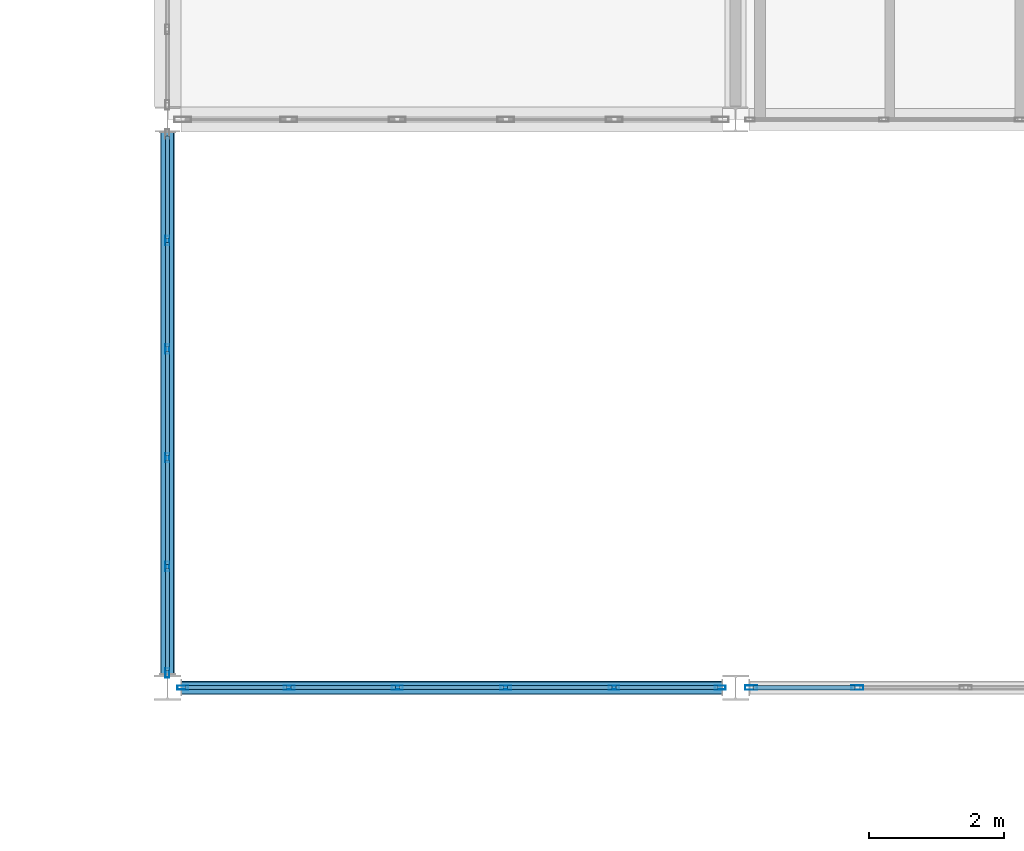
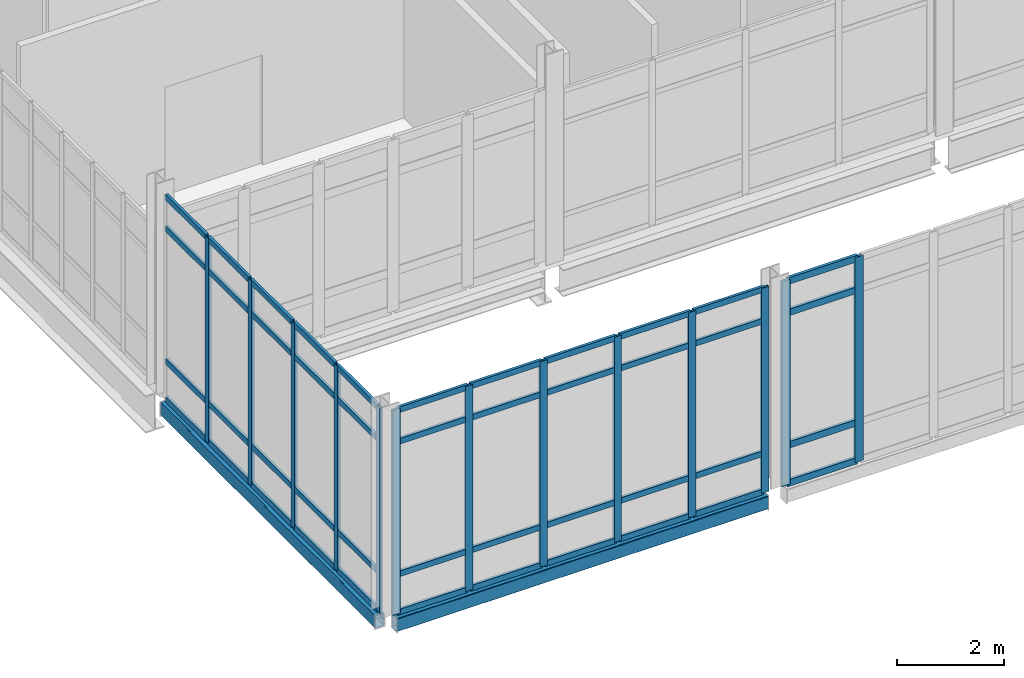
# One storey, part 18 of 186: 57 members, 2 beams, 3 elements without a shape of their own.
"""IFC4 building model written with IfcOpenShell, lengths in metres."""

from ifc_helpers import new_model, si_unit, direction, frame, origin, origin_2d, place, context, subcontext, project, spatial, hollow_rectangle, extrude, material, layer, layer_set, material_profile, profile_set, type_object, element, aggregate, save


model = new_model("IFC4")

# Units and contexts
model_context = context("Model", 3, precision=1e-05, world=origin(), true_north=direction((0.0, 1.0)))
body_context = subcontext(model_context, "Body", "Model", "MODEL_VIEW")
ifc_project = project(units=[si_unit("LENGTHUNIT", "METRE"), si_unit("AREAUNIT", "SQUARE_METRE"), si_unit("VOLUMEUNIT", "CUBIC_METRE"), si_unit("PLANEANGLEUNIT", "RADIAN"), si_unit("MASSUNIT", "GRAM", prefix="KILO")], contexts=[model_context])

# Site, building, storey
site_placement = place(None, origin())
site = spatial("IfcSite", under=ifc_project, at=site_placement, CompositionType="ELEMENT")
building_placement = place(site_placement, origin())
building = spatial("IfcBuilding", under=site, at=building_placement, Name="Calvrana Isthmian Art Gallery", CompositionType="ELEMENT")
storey_placement = place(building_placement, frame((0.0, 0.0, 5.39990234375)))
storey = spatial("IfcBuildingStorey", under=building, at=storey_placement, Name="L01", CompositionType="ELEMENT", Elevation=5.39990234375)

# Beams
ifc_material_1 = material(Name="Steel ASTM A500 Gr C", Category="steel")
ifc_material_profile_1 = material_profile(ifc_material_1, hollow_rectangle(XDim=0.203125, YDim=0.3046875, WallThickness=0.0126953125, OuterFilletRadius=0.02490234375, at=origin_2d()), Name="HSS305X203X12.7")
ifc_profile_set_1 = profile_set([ifc_material_profile_1], Name="Steel ASTM A500 Gr C")
beam_type = type_object("IfcBeamType", Name="BM-SP-HSS305", PredefinedType="SPANDREL", material=ifc_profile_set_1)
beam_1_placement = place(storey_placement, frame((21.802001953125, 21.60009765625, -0.349853515625), z_axis=(1.0, 0.0, 0.0), x_axis=(0.0, 1.0, 0.0)))
element("IfcBeam", 1, at=beam_1_placement, inside=storey, type_object=beam_type, Name="Foyer double-height spandrel L01 04-05/D", PredefinedType="SPANDREL", context=body_context, shape_type="SweptSolid", body=[
    extrude(hollow_rectangle(XDim=0.203125, YDim=0.3046875, WallThickness=0.0126953125, OuterFilletRadius=0.02490234375, at=origin_2d()), origin(), (0.0, 0.0, 1.0), 7.99853515625),
])
beam_2_placement = place(storey_placement, frame((21.60009765625, 21.802978515625, -0.349853515625), z_axis=(0.0, 1.0, 0.0), x_axis=(-1.0, 0.0, 0.0)))
element("IfcBeam", 2, at=beam_2_placement, inside=storey, type_object=beam_type, Name="Foyer double-height spandrel L01 04/D-E", PredefinedType="SPANDREL", context=body_context, shape_type="SweptSolid", body=[
    extrude(hollow_rectangle(XDim=0.203125, YDim=0.3046875, WallThickness=0.0126953125, OuterFilletRadius=0.02490234375, at=origin_2d()), origin(), (0.0, 0.0, 1.0), 8.006591796875),
])

# Curtain wall, members
ifc_material_2 = material(Name="Anodized bronze aluminium 6063-T6", Category="aluminium")
ifc_layer = layer(ifc_material_2, 0.179931640625, Name="Anodized bronze aluminium 6063-T6")
ifc_layer_set = layer_set([ifc_layer], Name="Anodized bronze aluminium 6063-T6")
curtain_wall_type = type_object("IfcCurtainWallType", Name="CW-STICK-080X47", PredefinedType="NOTDEFINED", material=ifc_layer_set)
curtain_wall_1_placement = place(storey_placement, origin())
curtain_wall_1 = element("IfcCurtainWall", 3, at=curtain_wall_1_placement, inside=storey, type_object=curtain_wall_type, Name="Curtain wall CW-006", PredefinedType="NOTDEFINED")
ifc_material_profile_2 = material_profile(ifc_material_2, hollow_rectangle(XDim=0.06005859375, YDim=0.139892578125, WallThickness=0.00390625, at=origin_2d()), Name="CWM60X140")
ifc_profile_set_2 = profile_set([ifc_material_profile_2], Name="Anodized bronze aluminium 6063-T6")
member_type_1 = type_object("IfcMemberType", Name="CWM-CWM60X140", PredefinedType="MULLION", material=ifc_profile_set_2)
member_1_placement = place(storey_placement, frame((21.60009765625, 21.820556640625, -0.14990234375), z_axis=(0.0, 0.0, 1.0), x_axis=(-1.0, 0.0, 0.0)))
member_1 = element("IfcMember", 4, at=member_1_placement, type_object=member_type_1, Name="CW-006 mullion 1", PredefinedType="MULLION", context=body_context, shape_type="SweptSolid", body=[
    extrude(hollow_rectangle(XDim=0.06005859375, YDim=0.139892578125, WallThickness=0.00390625, at=origin_2d()), origin(), (0.0, 0.0, 1.0), 4.669921875),
])
member_2_placement = place(storey_placement, frame((21.60009765625, 23.39501953125, -0.14990234375), z_axis=(0.0, 0.0, 1.0), x_axis=(-1.0, 0.0, 0.0)))
member_2 = element("IfcMember", 5, at=member_2_placement, type_object=member_type_1, Name="CW-006 mullion 2", PredefinedType="MULLION", context=body_context, shape_type="SweptSolid", body=[
    extrude(hollow_rectangle(XDim=0.06005859375, YDim=0.139892578125, WallThickness=0.00390625, at=origin_2d()), origin(), (0.0, 0.0, 1.0), 4.669921875),
])
member_3_placement = place(storey_placement, frame((21.60009765625, 24.999755859375, -0.14990234375), z_axis=(0.0, 0.0, 1.0), x_axis=(-1.0, 0.0, 0.0)))
member_3 = element("IfcMember", 6, at=member_3_placement, type_object=member_type_1, Name="CW-006 mullion 3", PredefinedType="MULLION", context=body_context, shape_type="SweptSolid", body=[
    extrude(hollow_rectangle(XDim=0.06005859375, YDim=0.139892578125, WallThickness=0.00390625, at=origin_2d()), origin(), (0.0, 0.0, 1.0), 4.669921875),
])
member_4_placement = place(storey_placement, frame((21.60009765625, 26.604248046875, -0.14990234375), z_axis=(0.0, 0.0, 1.0), x_axis=(-1.0, 0.0, 0.0)))
member_4 = element("IfcMember", 7, at=member_4_placement, type_object=member_type_1, Name="CW-006 mullion 4", PredefinedType="MULLION", context=body_context, shape_type="SweptSolid", body=[
    extrude(hollow_rectangle(XDim=0.06005859375, YDim=0.139892578125, WallThickness=0.00390625, at=origin_2d()), origin(), (0.0, 0.0, 1.0), 4.669921875),
])
member_5_placement = place(storey_placement, frame((21.60009765625, 28.208984375, -0.14990234375), z_axis=(0.0, 0.0, 1.0), x_axis=(-1.0, 0.0, 0.0)))
member_5 = element("IfcMember", 8, at=member_5_placement, type_object=member_type_1, Name="CW-006 mullion 5", PredefinedType="MULLION", context=body_context, shape_type="SweptSolid", body=[
    extrude(hollow_rectangle(XDim=0.06005859375, YDim=0.139892578125, WallThickness=0.00390625, at=origin_2d()), origin(), (0.0, 0.0, 1.0), 4.669921875),
])

curtain_wall_2_placement = place(storey_placement, origin())
curtain_wall_2 = element("IfcCurtainWall", 9, at=curtain_wall_2_placement, inside=storey, type_object=curtain_wall_type, Name="Curtain wall CW-001", PredefinedType="NOTDEFINED")
ifc_material_profile_3 = material_profile(ifc_material_2, hollow_rectangle(XDim=0.06005859375, YDim=0.159912109375, WallThickness=0.00390625, at=origin_2d()), Name="CWM60X160")
ifc_profile_set_3 = profile_set([ifc_material_profile_3], Name="Anodized bronze aluminium 6063-T6")
member_type_2 = type_object("IfcMemberType", Name="CWM-CWM60X160", PredefinedType="MULLION", material=ifc_profile_set_3)
member_6_placement = place(storey_placement, frame((29.77294921875, 21.60009765625, -0.14990234375), z_axis=(0.0, 0.0, 1.0), x_axis=(0.0, -1.0, 0.0)))
member_6 = element("IfcMember", 10, at=member_6_placement, type_object=member_type_2, Name="CW-001 mullion 1", PredefinedType="MULLION", context=body_context, shape_type="SweptSolid", body=[
    extrude(hollow_rectangle(XDim=0.06005859375, YDim=0.159912109375, WallThickness=0.00390625, at=origin_2d()), origin(), (0.0, 0.0, 1.0), 4.669921875),
])
member_7_placement = place(storey_placement, frame((28.201904296875, 21.60009765625, -0.14990234375), z_axis=(0.0, 0.0, 1.0), x_axis=(0.0, -1.0, 0.0)))
member_7 = element("IfcMember", 11, at=member_7_placement, type_object=member_type_2, Name="CW-001 mullion 2", PredefinedType="MULLION", context=body_context, shape_type="SweptSolid", body=[
    extrude(hollow_rectangle(XDim=0.06005859375, YDim=0.159912109375, WallThickness=0.00390625, at=origin_2d()), origin(), (0.0, 0.0, 1.0), 4.669921875),
])
member_8_placement = place(storey_placement, frame((26.60107421875, 21.60009765625, -0.14990234375), z_axis=(0.0, 0.0, 1.0), x_axis=(0.0, -1.0, 0.0)))
member_8 = element("IfcMember", 12, at=member_8_placement, type_object=member_type_2, Name="CW-001 mullion 3", PredefinedType="MULLION", context=body_context, shape_type="SweptSolid", body=[
    extrude(hollow_rectangle(XDim=0.06005859375, YDim=0.159912109375, WallThickness=0.00390625, at=origin_2d()), origin(), (0.0, 0.0, 1.0), 4.669921875),
])
member_9_placement = place(storey_placement, frame((25.0, 21.60009765625, -0.14990234375), z_axis=(0.0, 0.0, 1.0), x_axis=(0.0, -1.0, 0.0)))
member_9 = element("IfcMember", 13, at=member_9_placement, type_object=member_type_2, Name="CW-001 mullion 4", PredefinedType="MULLION", context=body_context, shape_type="SweptSolid", body=[
    extrude(hollow_rectangle(XDim=0.06005859375, YDim=0.159912109375, WallThickness=0.00390625, at=origin_2d()), origin(), (0.0, 0.0, 1.0), 4.669921875),
])
member_10_placement = place(storey_placement, frame((23.39892578125, 21.60009765625, -0.14990234375), z_axis=(0.0, 0.0, 1.0), x_axis=(0.0, -1.0, 0.0)))
member_10 = element("IfcMember", 14, at=member_10_placement, type_object=member_type_2, Name="CW-001 mullion 5", PredefinedType="MULLION", context=body_context, shape_type="SweptSolid", body=[
    extrude(hollow_rectangle(XDim=0.06005859375, YDim=0.159912109375, WallThickness=0.00390625, at=origin_2d()), origin(), (0.0, 0.0, 1.0), 4.669921875),
])
member_11_placement = place(storey_placement, frame((21.827880859375, 21.60009765625, -0.14990234375), z_axis=(0.0, 0.0, 1.0), x_axis=(0.0, -1.0, 0.0)))
member_11 = element("IfcMember", 15, at=member_11_placement, type_object=member_type_2, Name="CW-001 mullion 6", PredefinedType="MULLION", context=body_context, shape_type="SweptSolid", body=[
    extrude(hollow_rectangle(XDim=0.06005859375, YDim=0.159912109375, WallThickness=0.00390625, at=origin_2d()), origin(), (0.0, 0.0, 1.0), 4.669921875),
])

curtain_wall_3_placement = place(storey_placement, origin())
curtain_wall_3 = element("IfcCurtainWall", 16, at=curtain_wall_3_placement, inside=storey, type_object=curtain_wall_type, Name="Curtain wall CW-002", PredefinedType="NOTDEFINED")
ifc_material_profile_4 = material_profile(ifc_material_2, hollow_rectangle(XDim=0.06494140625, YDim=0.179931640625, WallThickness=0.00439453125, at=origin_2d()), Name="CWM65X180")
ifc_profile_set_4 = profile_set([ifc_material_profile_4], Name="Anodized bronze aluminium 6063-T6")
member_type_3 = type_object("IfcMemberType", Name="CWM-CWM65X180", PredefinedType="MULLION", material=ifc_profile_set_4)
member_12_placement = place(storey_placement, frame((31.80029296875, 21.60009765625, -0.14990234375), z_axis=(0.0, 0.0, 1.0), x_axis=(0.0, -1.0, 0.0)))
member_12 = element("IfcMember", 17, at=member_12_placement, type_object=member_type_3, Name="CW-002 mullion 5", PredefinedType="MULLION", context=body_context, shape_type="SweptSolid", body=[
    extrude(hollow_rectangle(XDim=0.06494140625, YDim=0.179931640625, WallThickness=0.00439453125, at=origin_2d()), origin(), (0.0, 0.0, 1.0), 4.669921875),
])
member_13_placement = place(storey_placement, frame((30.2294921875, 21.60009765625, -0.14990234375), z_axis=(0.0, 0.0, 1.0), x_axis=(0.0, -1.0, 0.0)))
member_13 = element("IfcMember", 18, at=member_13_placement, type_object=member_type_3, Name="CW-002 mullion 6", PredefinedType="MULLION", context=body_context, shape_type="SweptSolid", body=[
    extrude(hollow_rectangle(XDim=0.06494140625, YDim=0.179931640625, WallThickness=0.00439453125, at=origin_2d()), origin(), (0.0, 0.0, 1.0), 4.669921875),
])

# Member
ifc_material_profile_5 = material_profile(ifc_material_2, hollow_rectangle(XDim=0.06005859375, YDim=0.1298828125, WallThickness=0.00390625, at=origin_2d()), Name="CWT60X130")
ifc_profile_set_5 = profile_set([ifc_material_profile_5], Name="Anodized bronze aluminium 6063-T6")
member_type_4 = type_object("IfcMemberType", Name="CWT-CWT60X130", PredefinedType="USERDEFINED", material=ifc_profile_set_5)
member_14_placement = place(storey_placement, frame((29.742919921875, 21.60009765625, -0.119873046875), z_axis=(-1.0, 0.0, 0.0), x_axis=(0.0, -1.0, 0.0)))
member_14 = element("IfcMember", 19, at=member_14_placement, type_object=member_type_4, Name="CW-001 transom 1.1", ObjectType="TRANSOM", PredefinedType="USERDEFINED", context=body_context, shape_type="SweptSolid", body=[
    extrude(hollow_rectangle(XDim=0.06005859375, YDim=0.1298828125, WallThickness=0.00390625, at=origin_2d()), origin(), (0.0, 0.0, 1.0), 1.510986328125),
])

member_15_placement = place(storey_placement, frame((29.742919921875, 21.60009765625, 0.75), z_axis=(-1.0, 0.0, 0.0), x_axis=(0.0, -1.0, 0.0)))
member_15 = element("IfcMember", 20, at=member_15_placement, type_object=member_type_4, Name="CW-001 transom 1.2", ObjectType="TRANSOM", PredefinedType="USERDEFINED", context=body_context, shape_type="SweptSolid", body=[
    extrude(hollow_rectangle(XDim=0.06005859375, YDim=0.1298828125, WallThickness=0.00390625, at=origin_2d()), origin(), (0.0, 0.0, 1.0), 1.510986328125),
])

member_16_placement = place(storey_placement, frame((29.742919921875, 21.60009765625, 3.77001953125), z_axis=(-1.0, 0.0, 0.0), x_axis=(0.0, -1.0, 0.0)))
member_16 = element("IfcMember", 21, at=member_16_placement, type_object=member_type_4, Name="CW-001 transom 1.3", ObjectType="TRANSOM", PredefinedType="USERDEFINED", context=body_context, shape_type="SweptSolid", body=[
    extrude(hollow_rectangle(XDim=0.06005859375, YDim=0.1298828125, WallThickness=0.00390625, at=origin_2d()), origin(), (0.0, 0.0, 1.0), 1.510986328125),
])

member_17_placement = place(storey_placement, frame((29.742919921875, 21.60009765625, 4.489990234375), z_axis=(-1.0, 0.0, 0.0), x_axis=(0.0, -1.0, 0.0)))
member_17 = element("IfcMember", 22, at=member_17_placement, type_object=member_type_4, Name="CW-001 transom 1.4", ObjectType="TRANSOM", PredefinedType="USERDEFINED", context=body_context, shape_type="SweptSolid", body=[
    extrude(hollow_rectangle(XDim=0.06005859375, YDim=0.1298828125, WallThickness=0.00390625, at=origin_2d()), origin(), (0.0, 0.0, 1.0), 1.510986328125),
])

member_18_placement = place(storey_placement, frame((28.172119140625, 21.60009765625, -0.119873046875), z_axis=(-1.0, 0.0, 0.0), x_axis=(0.0, -1.0, 0.0)))
member_18 = element("IfcMember", 23, at=member_18_placement, type_object=member_type_4, Name="CW-001 transom 2.1", ObjectType="TRANSOM", PredefinedType="USERDEFINED", context=body_context, shape_type="SweptSolid", body=[
    extrude(hollow_rectangle(XDim=0.06005859375, YDim=0.1298828125, WallThickness=0.00390625, at=origin_2d()), origin(), (0.0, 0.0, 1.0), 1.541015625),
])

member_19_placement = place(storey_placement, frame((28.172119140625, 21.60009765625, 0.75), z_axis=(-1.0, 0.0, 0.0), x_axis=(0.0, -1.0, 0.0)))
member_19 = element("IfcMember", 24, at=member_19_placement, type_object=member_type_4, Name="CW-001 transom 2.2", ObjectType="TRANSOM", PredefinedType="USERDEFINED", context=body_context, shape_type="SweptSolid", body=[
    extrude(hollow_rectangle(XDim=0.06005859375, YDim=0.1298828125, WallThickness=0.00390625, at=origin_2d()), origin(), (0.0, 0.0, 1.0), 1.541015625),
])

member_20_placement = place(storey_placement, frame((28.172119140625, 21.60009765625, 3.77001953125), z_axis=(-1.0, 0.0, 0.0), x_axis=(0.0, -1.0, 0.0)))
member_20 = element("IfcMember", 25, at=member_20_placement, type_object=member_type_4, Name="CW-001 transom 2.3", ObjectType="TRANSOM", PredefinedType="USERDEFINED", context=body_context, shape_type="SweptSolid", body=[
    extrude(hollow_rectangle(XDim=0.06005859375, YDim=0.1298828125, WallThickness=0.00390625, at=origin_2d()), origin(), (0.0, 0.0, 1.0), 1.541015625),
])

member_21_placement = place(storey_placement, frame((28.172119140625, 21.60009765625, 4.489990234375), z_axis=(-1.0, 0.0, 0.0), x_axis=(0.0, -1.0, 0.0)))
member_21 = element("IfcMember", 26, at=member_21_placement, type_object=member_type_4, Name="CW-001 transom 2.4", ObjectType="TRANSOM", PredefinedType="USERDEFINED", context=body_context, shape_type="SweptSolid", body=[
    extrude(hollow_rectangle(XDim=0.06005859375, YDim=0.1298828125, WallThickness=0.00390625, at=origin_2d()), origin(), (0.0, 0.0, 1.0), 1.541015625),
])

member_22_placement = place(storey_placement, frame((26.571044921875, 21.60009765625, -0.119873046875), z_axis=(-1.0, 0.0, 0.0), x_axis=(0.0, -1.0, 0.0)))
member_22 = element("IfcMember", 27, at=member_22_placement, type_object=member_type_4, Name="CW-001 transom 3.1", ObjectType="TRANSOM", PredefinedType="USERDEFINED", context=body_context, shape_type="SweptSolid", body=[
    extrude(hollow_rectangle(XDim=0.06005859375, YDim=0.1298828125, WallThickness=0.00390625, at=origin_2d()), origin(), (0.0, 0.0, 1.0), 1.541015625),
])

member_23_placement = place(storey_placement, frame((26.571044921875, 21.60009765625, 0.75), z_axis=(-1.0, 0.0, 0.0), x_axis=(0.0, -1.0, 0.0)))
member_23 = element("IfcMember", 28, at=member_23_placement, type_object=member_type_4, Name="CW-001 transom 3.2", ObjectType="TRANSOM", PredefinedType="USERDEFINED", context=body_context, shape_type="SweptSolid", body=[
    extrude(hollow_rectangle(XDim=0.06005859375, YDim=0.1298828125, WallThickness=0.00390625, at=origin_2d()), origin(), (0.0, 0.0, 1.0), 1.541015625),
])

member_24_placement = place(storey_placement, frame((26.571044921875, 21.60009765625, 3.77001953125), z_axis=(-1.0, 0.0, 0.0), x_axis=(0.0, -1.0, 0.0)))
member_24 = element("IfcMember", 29, at=member_24_placement, type_object=member_type_4, Name="CW-001 transom 3.3", ObjectType="TRANSOM", PredefinedType="USERDEFINED", context=body_context, shape_type="SweptSolid", body=[
    extrude(hollow_rectangle(XDim=0.06005859375, YDim=0.1298828125, WallThickness=0.00390625, at=origin_2d()), origin(), (0.0, 0.0, 1.0), 1.541015625),
])

member_25_placement = place(storey_placement, frame((26.571044921875, 21.60009765625, 4.489990234375), z_axis=(-1.0, 0.0, 0.0), x_axis=(0.0, -1.0, 0.0)))
member_25 = element("IfcMember", 30, at=member_25_placement, type_object=member_type_4, Name="CW-001 transom 3.4", ObjectType="TRANSOM", PredefinedType="USERDEFINED", context=body_context, shape_type="SweptSolid", body=[
    extrude(hollow_rectangle(XDim=0.06005859375, YDim=0.1298828125, WallThickness=0.00390625, at=origin_2d()), origin(), (0.0, 0.0, 1.0), 1.541015625),
])

member_26_placement = place(storey_placement, frame((24.969970703125, 21.60009765625, -0.119873046875), z_axis=(-1.0, 0.0, 0.0), x_axis=(0.0, -1.0, 0.0)))
member_26 = element("IfcMember", 31, at=member_26_placement, type_object=member_type_4, Name="CW-001 transom 4.1", ObjectType="TRANSOM", PredefinedType="USERDEFINED", context=body_context, shape_type="SweptSolid", body=[
    extrude(hollow_rectangle(XDim=0.06005859375, YDim=0.1298828125, WallThickness=0.00390625, at=origin_2d()), origin(), (0.0, 0.0, 1.0), 1.541015625),
])

member_27_placement = place(storey_placement, frame((24.969970703125, 21.60009765625, 0.75), z_axis=(-1.0, 0.0, 0.0), x_axis=(0.0, -1.0, 0.0)))
member_27 = element("IfcMember", 32, at=member_27_placement, type_object=member_type_4, Name="CW-001 transom 4.2", ObjectType="TRANSOM", PredefinedType="USERDEFINED", context=body_context, shape_type="SweptSolid", body=[
    extrude(hollow_rectangle(XDim=0.06005859375, YDim=0.1298828125, WallThickness=0.00390625, at=origin_2d()), origin(), (0.0, 0.0, 1.0), 1.541015625),
])

member_28_placement = place(storey_placement, frame((24.969970703125, 21.60009765625, 3.77001953125), z_axis=(-1.0, 0.0, 0.0), x_axis=(0.0, -1.0, 0.0)))
member_28 = element("IfcMember", 33, at=member_28_placement, type_object=member_type_4, Name="CW-001 transom 4.3", ObjectType="TRANSOM", PredefinedType="USERDEFINED", context=body_context, shape_type="SweptSolid", body=[
    extrude(hollow_rectangle(XDim=0.06005859375, YDim=0.1298828125, WallThickness=0.00390625, at=origin_2d()), origin(), (0.0, 0.0, 1.0), 1.541015625),
])

member_29_placement = place(storey_placement, frame((24.969970703125, 21.60009765625, 4.489990234375), z_axis=(-1.0, 0.0, 0.0), x_axis=(0.0, -1.0, 0.0)))
member_29 = element("IfcMember", 34, at=member_29_placement, type_object=member_type_4, Name="CW-001 transom 4.4", ObjectType="TRANSOM", PredefinedType="USERDEFINED", context=body_context, shape_type="SweptSolid", body=[
    extrude(hollow_rectangle(XDim=0.06005859375, YDim=0.1298828125, WallThickness=0.00390625, at=origin_2d()), origin(), (0.0, 0.0, 1.0), 1.541015625),
])

member_30_placement = place(storey_placement, frame((23.368896484375, 21.60009765625, -0.119873046875), z_axis=(-1.0, 0.0, 0.0), x_axis=(0.0, -1.0, 0.0)))
member_30 = element("IfcMember", 35, at=member_30_placement, type_object=member_type_4, Name="CW-001 transom 5.1", ObjectType="TRANSOM", PredefinedType="USERDEFINED", context=body_context, shape_type="SweptSolid", body=[
    extrude(hollow_rectangle(XDim=0.06005859375, YDim=0.1298828125, WallThickness=0.00390625, at=origin_2d()), origin(), (0.0, 0.0, 1.0), 1.510986328125),
])

member_31_placement = place(storey_placement, frame((23.368896484375, 21.60009765625, 0.75), z_axis=(-1.0, 0.0, 0.0), x_axis=(0.0, -1.0, 0.0)))
member_31 = element("IfcMember", 36, at=member_31_placement, type_object=member_type_4, Name="CW-001 transom 5.2", ObjectType="TRANSOM", PredefinedType="USERDEFINED", context=body_context, shape_type="SweptSolid", body=[
    extrude(hollow_rectangle(XDim=0.06005859375, YDim=0.1298828125, WallThickness=0.00390625, at=origin_2d()), origin(), (0.0, 0.0, 1.0), 1.510986328125),
])

member_32_placement = place(storey_placement, frame((23.368896484375, 21.60009765625, 3.77001953125), z_axis=(-1.0, 0.0, 0.0), x_axis=(0.0, -1.0, 0.0)))
member_32 = element("IfcMember", 37, at=member_32_placement, type_object=member_type_4, Name="CW-001 transom 5.3", ObjectType="TRANSOM", PredefinedType="USERDEFINED", context=body_context, shape_type="SweptSolid", body=[
    extrude(hollow_rectangle(XDim=0.06005859375, YDim=0.1298828125, WallThickness=0.00390625, at=origin_2d()), origin(), (0.0, 0.0, 1.0), 1.510986328125),
])

member_33_placement = place(storey_placement, frame((23.368896484375, 21.60009765625, 4.489990234375), z_axis=(-1.0, 0.0, 0.0), x_axis=(0.0, -1.0, 0.0)))
member_33 = element("IfcMember", 38, at=member_33_placement, type_object=member_type_4, Name="CW-001 transom 5.4", ObjectType="TRANSOM", PredefinedType="USERDEFINED", context=body_context, shape_type="SweptSolid", body=[
    extrude(hollow_rectangle(XDim=0.06005859375, YDim=0.1298828125, WallThickness=0.00390625, at=origin_2d()), origin(), (0.0, 0.0, 1.0), 1.510986328125),
])

aggregate(curtain_wall_2, [member_6, member_7, member_8, member_9, member_10, member_11, member_14, member_15, member_16, member_17, member_18, member_19, member_20, member_21, member_22, member_23, member_24, member_25, member_26, member_27, member_28, member_29, member_30, member_31, member_32, member_33])

member_34_placement = place(storey_placement, frame((21.60009765625, 21.8505859375, -0.119873046875), z_axis=(0.0, 1.0, 0.0), x_axis=(-1.0, 0.0, 0.0)))
member_34 = element("IfcMember", 39, at=member_34_placement, type_object=member_type_4, Name="CW-006 transom 1.1", ObjectType="TRANSOM", PredefinedType="USERDEFINED", context=body_context, shape_type="SweptSolid", body=[
    extrude(hollow_rectangle(XDim=0.06005859375, YDim=0.1298828125, WallThickness=0.00390625, at=origin_2d()), origin(), (0.0, 0.0, 1.0), 1.514404296875),
])

member_35_placement = place(storey_placement, frame((21.60009765625, 21.8505859375, 0.75), z_axis=(0.0, 1.0, 0.0), x_axis=(-1.0, 0.0, 0.0)))
member_35 = element("IfcMember", 40, at=member_35_placement, type_object=member_type_4, Name="CW-006 transom 1.2", ObjectType="TRANSOM", PredefinedType="USERDEFINED", context=body_context, shape_type="SweptSolid", body=[
    extrude(hollow_rectangle(XDim=0.06005859375, YDim=0.1298828125, WallThickness=0.00390625, at=origin_2d()), origin(), (0.0, 0.0, 1.0), 1.514404296875),
])

member_36_placement = place(storey_placement, frame((21.60009765625, 21.8505859375, 3.77001953125), z_axis=(0.0, 1.0, 0.0), x_axis=(-1.0, 0.0, 0.0)))
member_36 = element("IfcMember", 41, at=member_36_placement, type_object=member_type_4, Name="CW-006 transom 1.3", ObjectType="TRANSOM", PredefinedType="USERDEFINED", context=body_context, shape_type="SweptSolid", body=[
    extrude(hollow_rectangle(XDim=0.06005859375, YDim=0.1298828125, WallThickness=0.00390625, at=origin_2d()), origin(), (0.0, 0.0, 1.0), 1.514404296875),
])

member_37_placement = place(storey_placement, frame((21.60009765625, 21.8505859375, 4.489990234375), z_axis=(0.0, 1.0, 0.0), x_axis=(-1.0, 0.0, 0.0)))
member_37 = element("IfcMember", 42, at=member_37_placement, type_object=member_type_4, Name="CW-006 transom 1.4", ObjectType="TRANSOM", PredefinedType="USERDEFINED", context=body_context, shape_type="SweptSolid", body=[
    extrude(hollow_rectangle(XDim=0.06005859375, YDim=0.1298828125, WallThickness=0.00390625, at=origin_2d()), origin(), (0.0, 0.0, 1.0), 1.514404296875),
])

member_38_placement = place(storey_placement, frame((21.60009765625, 23.425048828125, -0.119873046875), z_axis=(0.0, 1.0, 0.0), x_axis=(-1.0, 0.0, 0.0)))
member_38 = element("IfcMember", 43, at=member_38_placement, type_object=member_type_4, Name="CW-006 transom 2.1", ObjectType="TRANSOM", PredefinedType="USERDEFINED", context=body_context, shape_type="SweptSolid", body=[
    extrude(hollow_rectangle(XDim=0.06005859375, YDim=0.1298828125, WallThickness=0.00390625, at=origin_2d()), origin(), (0.0, 0.0, 1.0), 1.544677734375),
])

member_39_placement = place(storey_placement, frame((21.60009765625, 23.425048828125, 0.75), z_axis=(0.0, 1.0, 0.0), x_axis=(-1.0, 0.0, 0.0)))
member_39 = element("IfcMember", 44, at=member_39_placement, type_object=member_type_4, Name="CW-006 transom 2.2", ObjectType="TRANSOM", PredefinedType="USERDEFINED", context=body_context, shape_type="SweptSolid", body=[
    extrude(hollow_rectangle(XDim=0.06005859375, YDim=0.1298828125, WallThickness=0.00390625, at=origin_2d()), origin(), (0.0, 0.0, 1.0), 1.544677734375),
])

member_40_placement = place(storey_placement, frame((21.60009765625, 23.425048828125, 3.77001953125), z_axis=(0.0, 1.0, 0.0), x_axis=(-1.0, 0.0, 0.0)))
member_40 = element("IfcMember", 45, at=member_40_placement, type_object=member_type_4, Name="CW-006 transom 2.3", ObjectType="TRANSOM", PredefinedType="USERDEFINED", context=body_context, shape_type="SweptSolid", body=[
    extrude(hollow_rectangle(XDim=0.06005859375, YDim=0.1298828125, WallThickness=0.00390625, at=origin_2d()), origin(), (0.0, 0.0, 1.0), 1.544677734375),
])

member_41_placement = place(storey_placement, frame((21.60009765625, 23.425048828125, 4.489990234375), z_axis=(0.0, 1.0, 0.0), x_axis=(-1.0, 0.0, 0.0)))
member_41 = element("IfcMember", 46, at=member_41_placement, type_object=member_type_4, Name="CW-006 transom 2.4", ObjectType="TRANSOM", PredefinedType="USERDEFINED", context=body_context, shape_type="SweptSolid", body=[
    extrude(hollow_rectangle(XDim=0.06005859375, YDim=0.1298828125, WallThickness=0.00390625, at=origin_2d()), origin(), (0.0, 0.0, 1.0), 1.544677734375),
])

member_42_placement = place(storey_placement, frame((21.60009765625, 25.02978515625, -0.119873046875), z_axis=(0.0, 1.0, 0.0), x_axis=(-1.0, 0.0, 0.0)))
member_42 = element("IfcMember", 47, at=member_42_placement, type_object=member_type_4, Name="CW-006 transom 3.1", ObjectType="TRANSOM", PredefinedType="USERDEFINED", context=body_context, shape_type="SweptSolid", body=[
    extrude(hollow_rectangle(XDim=0.06005859375, YDim=0.1298828125, WallThickness=0.00390625, at=origin_2d()), origin(), (0.0, 0.0, 1.0), 1.54443359375),
])

member_43_placement = place(storey_placement, frame((21.60009765625, 25.02978515625, 0.75), z_axis=(0.0, 1.0, 0.0), x_axis=(-1.0, 0.0, 0.0)))
member_43 = element("IfcMember", 48, at=member_43_placement, type_object=member_type_4, Name="CW-006 transom 3.2", ObjectType="TRANSOM", PredefinedType="USERDEFINED", context=body_context, shape_type="SweptSolid", body=[
    extrude(hollow_rectangle(XDim=0.06005859375, YDim=0.1298828125, WallThickness=0.00390625, at=origin_2d()), origin(), (0.0, 0.0, 1.0), 1.54443359375),
])

member_44_placement = place(storey_placement, frame((21.60009765625, 25.02978515625, 3.77001953125), z_axis=(0.0, 1.0, 0.0), x_axis=(-1.0, 0.0, 0.0)))
member_44 = element("IfcMember", 49, at=member_44_placement, type_object=member_type_4, Name="CW-006 transom 3.3", ObjectType="TRANSOM", PredefinedType="USERDEFINED", context=body_context, shape_type="SweptSolid", body=[
    extrude(hollow_rectangle(XDim=0.06005859375, YDim=0.1298828125, WallThickness=0.00390625, at=origin_2d()), origin(), (0.0, 0.0, 1.0), 1.54443359375),
])

member_45_placement = place(storey_placement, frame((21.60009765625, 25.02978515625, 4.489990234375), z_axis=(0.0, 1.0, 0.0), x_axis=(-1.0, 0.0, 0.0)))
member_45 = element("IfcMember", 50, at=member_45_placement, type_object=member_type_4, Name="CW-006 transom 3.4", ObjectType="TRANSOM", PredefinedType="USERDEFINED", context=body_context, shape_type="SweptSolid", body=[
    extrude(hollow_rectangle(XDim=0.06005859375, YDim=0.1298828125, WallThickness=0.00390625, at=origin_2d()), origin(), (0.0, 0.0, 1.0), 1.54443359375),
])

member_46_placement = place(storey_placement, frame((21.60009765625, 26.63427734375, -0.119873046875), z_axis=(0.0, 1.0, 0.0), x_axis=(-1.0, 0.0, 0.0)))
member_46 = element("IfcMember", 51, at=member_46_placement, type_object=member_type_4, Name="CW-006 transom 4.1", ObjectType="TRANSOM", PredefinedType="USERDEFINED", context=body_context, shape_type="SweptSolid", body=[
    extrude(hollow_rectangle(XDim=0.06005859375, YDim=0.1298828125, WallThickness=0.00390625, at=origin_2d()), origin(), (0.0, 0.0, 1.0), 1.544677734375),
])

member_47_placement = place(storey_placement, frame((21.60009765625, 26.63427734375, 0.75), z_axis=(0.0, 1.0, 0.0), x_axis=(-1.0, 0.0, 0.0)))
member_47 = element("IfcMember", 52, at=member_47_placement, type_object=member_type_4, Name="CW-006 transom 4.2", ObjectType="TRANSOM", PredefinedType="USERDEFINED", context=body_context, shape_type="SweptSolid", body=[
    extrude(hollow_rectangle(XDim=0.06005859375, YDim=0.1298828125, WallThickness=0.00390625, at=origin_2d()), origin(), (0.0, 0.0, 1.0), 1.544677734375),
])

member_48_placement = place(storey_placement, frame((21.60009765625, 26.63427734375, 3.77001953125), z_axis=(0.0, 1.0, 0.0), x_axis=(-1.0, 0.0, 0.0)))
member_48 = element("IfcMember", 53, at=member_48_placement, type_object=member_type_4, Name="CW-006 transom 4.3", ObjectType="TRANSOM", PredefinedType="USERDEFINED", context=body_context, shape_type="SweptSolid", body=[
    extrude(hollow_rectangle(XDim=0.06005859375, YDim=0.1298828125, WallThickness=0.00390625, at=origin_2d()), origin(), (0.0, 0.0, 1.0), 1.544677734375),
])

member_49_placement = place(storey_placement, frame((21.60009765625, 26.63427734375, 4.489990234375), z_axis=(0.0, 1.0, 0.0), x_axis=(-1.0, 0.0, 0.0)))
member_49 = element("IfcMember", 54, at=member_49_placement, type_object=member_type_4, Name="CW-006 transom 4.4", ObjectType="TRANSOM", PredefinedType="USERDEFINED", context=body_context, shape_type="SweptSolid", body=[
    extrude(hollow_rectangle(XDim=0.06005859375, YDim=0.1298828125, WallThickness=0.00390625, at=origin_2d()), origin(), (0.0, 0.0, 1.0), 1.544677734375),
])

member_50_placement = place(storey_placement, frame((21.60009765625, 28.239013671875, -0.119873046875), z_axis=(0.0, 1.0, 0.0), x_axis=(-1.0, 0.0, 0.0)))
member_50 = element("IfcMember", 55, at=member_50_placement, type_object=member_type_4, Name="CW-006 transom 5.1", ObjectType="TRANSOM", PredefinedType="USERDEFINED", context=body_context, shape_type="SweptSolid", body=[
    extrude(hollow_rectangle(XDim=0.06005859375, YDim=0.1298828125, WallThickness=0.00390625, at=origin_2d()), origin(), (0.0, 0.0, 1.0), 1.514404296875),
])

member_51_placement = place(storey_placement, frame((21.60009765625, 28.239013671875, 0.75), z_axis=(0.0, 1.0, 0.0), x_axis=(-1.0, 0.0, 0.0)))
member_51 = element("IfcMember", 56, at=member_51_placement, type_object=member_type_4, Name="CW-006 transom 5.2", ObjectType="TRANSOM", PredefinedType="USERDEFINED", context=body_context, shape_type="SweptSolid", body=[
    extrude(hollow_rectangle(XDim=0.06005859375, YDim=0.1298828125, WallThickness=0.00390625, at=origin_2d()), origin(), (0.0, 0.0, 1.0), 1.514404296875),
])

member_52_placement = place(storey_placement, frame((21.60009765625, 28.239013671875, 3.77001953125), z_axis=(0.0, 1.0, 0.0), x_axis=(-1.0, 0.0, 0.0)))
member_52 = element("IfcMember", 57, at=member_52_placement, type_object=member_type_4, Name="CW-006 transom 5.3", ObjectType="TRANSOM", PredefinedType="USERDEFINED", context=body_context, shape_type="SweptSolid", body=[
    extrude(hollow_rectangle(XDim=0.06005859375, YDim=0.1298828125, WallThickness=0.00390625, at=origin_2d()), origin(), (0.0, 0.0, 1.0), 1.514404296875),
])

member_53_placement = place(storey_placement, frame((21.60009765625, 28.239013671875, 4.489990234375), z_axis=(0.0, 1.0, 0.0), x_axis=(-1.0, 0.0, 0.0)))
member_53 = element("IfcMember", 58, at=member_53_placement, type_object=member_type_4, Name="CW-006 transom 5.4", ObjectType="TRANSOM", PredefinedType="USERDEFINED", context=body_context, shape_type="SweptSolid", body=[
    extrude(hollow_rectangle(XDim=0.06005859375, YDim=0.1298828125, WallThickness=0.00390625, at=origin_2d()), origin(), (0.0, 0.0, 1.0), 1.514404296875),
])

aggregate(curtain_wall_1, [member_1, member_2, member_3, member_4, member_5, member_34, member_35, member_36, member_37, member_38, member_39, member_40, member_41, member_42, member_43, member_44, member_45, member_46, member_47, member_48, member_49, member_50, member_51, member_52, member_53])

ifc_material_profile_6 = material_profile(ifc_material_2, hollow_rectangle(XDim=0.06494140625, YDim=0.14990234375, WallThickness=0.00390625, at=origin_2d()), Name="CWT65X150")
ifc_profile_set_6 = profile_set([ifc_material_profile_6], Name="Anodized bronze aluminium 6063-T6")
member_type_5 = type_object("IfcMemberType", Name="CWT-CWT65X150", PredefinedType="USERDEFINED", material=ifc_profile_set_6)
member_54_placement = place(storey_placement, frame((31.767822265625, 21.60009765625, -0.117431640625), z_axis=(-1.0, 0.0, 0.0), x_axis=(0.0, -1.0, 0.0)))
member_54 = element("IfcMember", 59, at=member_54_placement, type_object=member_type_5, Name="CW-002 transom 5.1", ObjectType="TRANSOM", PredefinedType="USERDEFINED", context=body_context, shape_type="SweptSolid", body=[
    extrude(hollow_rectangle(XDim=0.06494140625, YDim=0.14990234375, WallThickness=0.00390625, at=origin_2d()), origin(), (0.0, 0.0, 1.0), 1.505859375),
])

member_55_placement = place(storey_placement, frame((31.767822265625, 21.60009765625, 0.75), z_axis=(-1.0, 0.0, 0.0), x_axis=(0.0, -1.0, 0.0)))
member_55 = element("IfcMember", 60, at=member_55_placement, type_object=member_type_5, Name="CW-002 transom 5.2", ObjectType="TRANSOM", PredefinedType="USERDEFINED", context=body_context, shape_type="SweptSolid", body=[
    extrude(hollow_rectangle(XDim=0.06494140625, YDim=0.14990234375, WallThickness=0.00390625, at=origin_2d()), origin(), (0.0, 0.0, 1.0), 1.505859375),
])

member_56_placement = place(storey_placement, frame((31.767822265625, 21.60009765625, 3.77001953125), z_axis=(-1.0, 0.0, 0.0), x_axis=(0.0, -1.0, 0.0)))
member_56 = element("IfcMember", 61, at=member_56_placement, type_object=member_type_5, Name="CW-002 transom 5.3", ObjectType="TRANSOM", PredefinedType="USERDEFINED", context=body_context, shape_type="SweptSolid", body=[
    extrude(hollow_rectangle(XDim=0.06494140625, YDim=0.14990234375, WallThickness=0.00390625, at=origin_2d()), origin(), (0.0, 0.0, 1.0), 1.505859375),
])

member_57_placement = place(storey_placement, frame((31.767822265625, 21.60009765625, 4.487548828125), z_axis=(-1.0, 0.0, 0.0), x_axis=(0.0, -1.0, 0.0)))
member_57 = element("IfcMember", 62, at=member_57_placement, type_object=member_type_5, Name="CW-002 transom 5.4", ObjectType="TRANSOM", PredefinedType="USERDEFINED", context=body_context, shape_type="SweptSolid", body=[
    extrude(hollow_rectangle(XDim=0.06494140625, YDim=0.14990234375, WallThickness=0.00390625, at=origin_2d()), origin(), (0.0, 0.0, 1.0), 1.505859375),
])

aggregate(curtain_wall_3, [member_12, member_13, member_54, member_55, member_56, member_57])

save(model, "model.ifc")
